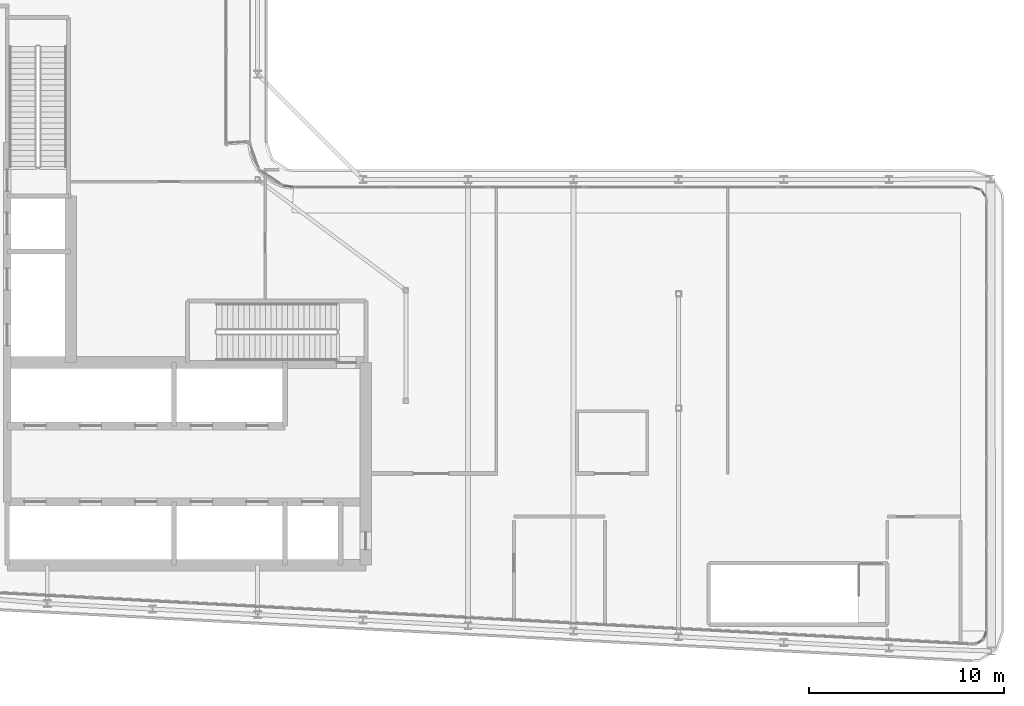
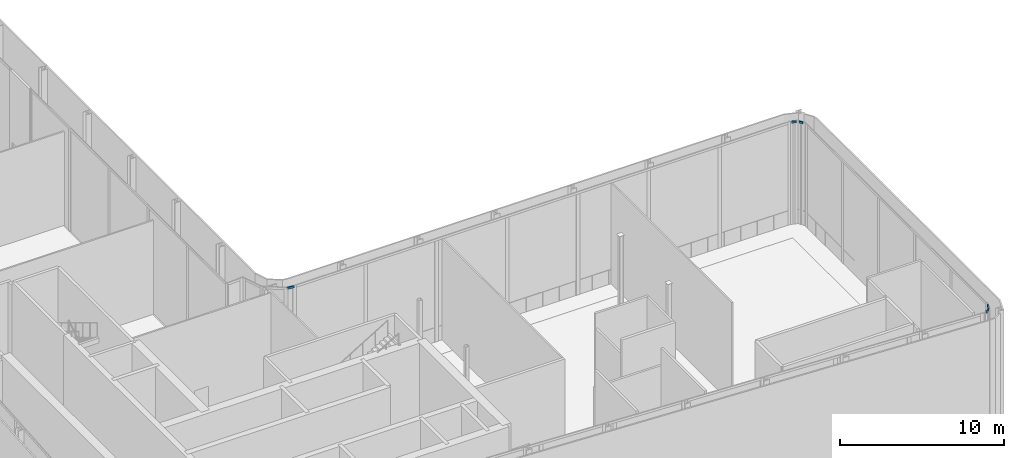
# One storey, part 13 of 27: 5 members, 5 elements without a shape of their own.
"""IFC4 building model written with IfcOpenShell, lengths in metres."""

from ifc_helpers import new_model, si_unit, direction, frame, origin, origin_2d, place, context, subcontext, project, spatial, rectangle, extrude, material, layer, layer_set, material_profile, profile_set, type_object, element, aggregate, save


model = new_model("IFC4")

# Units and contexts
model_context = context("Model", 3, precision=1e-05, world=origin(), true_north=direction((0.0, 1.0)))
body_context = subcontext(model_context, "Body", "Model", "MODEL_VIEW")
ifc_project = project(units=[si_unit("LENGTHUNIT", "METRE"), si_unit("AREAUNIT", "SQUARE_METRE"), si_unit("VOLUMEUNIT", "CUBIC_METRE"), si_unit("PLANEANGLEUNIT", "RADIAN"), si_unit("MASSUNIT", "GRAM", prefix="KILO")], contexts=[model_context])

# Site, building, storey
site_placement = place(None, origin())
site = spatial("IfcSite", under=ifc_project, at=site_placement, CompositionType="ELEMENT")
building_placement = place(site_placement, origin())
building = spatial("IfcBuilding", under=site, at=building_placement, Name="Kheshtan School and Residences Tower", CompositionType="ELEMENT")
storey_placement = place(building_placement, frame((0.0, 0.0, 266.89990234375)))
storey = spatial("IfcBuildingStorey", under=building, at=storey_placement, Name="L63", CompositionType="ELEMENT", Elevation=266.89990234375)

# Curtain wall, member
ifc_material_1 = material(Name="Clear low-e glass in thermally broken aluminium frame", Category="aluminium")
ifc_layer = layer(ifc_material_1, 0.25)
ifc_layer_set = layer_set([ifc_layer], Name="Curtain wall CW-K")
curtain_wall_type = type_object("IfcCurtainWallType", Name="Curtain wall CW-K", PredefinedType="NOTDEFINED", material=ifc_layer_set)
curtain_wall_1_placement = place(storey_placement, origin())
curtain_wall_1 = element("IfcCurtainWall", 1, at=curtain_wall_1_placement, inside=storey, type_object=curtain_wall_type, Name="Curtain wall CWK1a", PredefinedType="NOTDEFINED")
ifc_material_2 = material(Name="Thermally broken aluminium, dark bronze anodised", Category="aluminium")
ifc_material_profile = material_profile(ifc_material_2, rectangle(XDim=0.06005859375, YDim=0.159912109375, at=origin_2d()), Name="CW-K transom 60x160")
ifc_profile_set = profile_set([ifc_material_profile], Name="Thermally broken aluminium, dark bronze anodised")
member_type = type_object("IfcMemberType", Name="CW-K transom 60x160", PredefinedType="USERDEFINED", material=ifc_profile_set)
member_1_placement = place(storey_placement, frame((84.357666015625, 45.177001953125, 7.570068359375), z_axis=(0.95258765561, -0.304264290347, 0.0), x_axis=(0.304264290347, 0.95258765561, 0.0)))
member_1 = element("IfcMember", 2, at=member_1_placement, type_object=member_type, Name="CWK1a transom 1", ObjectType="TRANSOM", PredefinedType="USERDEFINED", context=body_context, shape_type="SweptSolid", body=[
    extrude(rectangle(XDim=0.06005859375, YDim=0.159912109375, at=origin_2d()), origin(), (0.0, 0.0, 1.0), 0.29443359375),
])
aggregate(curtain_wall_1, [member_1])

curtain_wall_2_placement = place(storey_placement, origin())
curtain_wall_2 = element("IfcCurtainWall", 3, at=curtain_wall_2_placement, inside=storey, type_object=curtain_wall_type, Name="Curtain wall CWK2a", PredefinedType="NOTDEFINED")
member_2_placement = place(storey_placement, frame((84.781494140625, 44.979736328125, 7.570068359375), z_axis=(0.554913962671, -0.831907743703, 0.0), x_axis=(0.831907743703, 0.554913962671, 0.0)))
member_2 = element("IfcMember", 4, at=member_2_placement, type_object=member_type, Name="CWK2a transom 1", ObjectType="TRANSOM", PredefinedType="USERDEFINED", context=body_context, shape_type="SweptSolid", body=[
    extrude(rectangle(XDim=0.06005859375, YDim=0.159912109375, at=origin_2d()), origin(), (0.0, 0.0, 1.0), 0.263427734375),
])
aggregate(curtain_wall_2, [member_2])

curtain_wall_3_placement = place(storey_placement, origin())
curtain_wall_3 = element("IfcCurtainWall", 5, at=curtain_wall_3_placement, inside=storey, type_object=curtain_wall_type, Name="Curtain wall CWK4a", PredefinedType="NOTDEFINED")
member_3_placement = place(storey_placement, frame((84.976318359375, 22.376708984375, 7.570068359375), z_axis=(-0.312399890477, -0.949950687368, 0.0), x_axis=(0.949950687368, -0.312399890477, 0.0)))
member_3 = element("IfcMember", 6, at=member_3_placement, type_object=member_type, Name="CWK4a transom 1", ObjectType="TRANSOM", PredefinedType="USERDEFINED", context=body_context, shape_type="SweptSolid", body=[
    extrude(rectangle(XDim=0.06005859375, YDim=0.159912109375, at=origin_2d()), origin(), (0.0, 0.0, 1.0), 0.306396484375),
])
aggregate(curtain_wall_3, [member_3])

curtain_wall_4_placement = place(storey_placement, origin())
curtain_wall_4 = element("IfcCurtainWall", 7, at=curtain_wall_4_placement, inside=storey, type_object=curtain_wall_type, Name="Curtain wall CWK5", PredefinedType="NOTDEFINED")
member_4_placement = place(storey_placement, frame((84.76904296875, 21.943359375, 7.570068359375), z_axis=(-0.848986366709, -0.528414751064, 0.0), x_axis=(0.528414751064, -0.848986366709, 0.0)))
member_4 = element("IfcMember", 8, at=member_4_placement, type_object=member_type, Name="CWK5 transom 1", ObjectType="TRANSOM", PredefinedType="USERDEFINED", context=body_context, shape_type="SweptSolid", body=[
    extrude(rectangle(XDim=0.06005859375, YDim=0.159912109375, at=origin_2d()), origin(), (0.0, 0.0, 1.0), 0.277099609375),
])
aggregate(curtain_wall_4, [member_4])

curtain_wall_5_placement = place(storey_placement, origin())
curtain_wall_5 = element("IfcCurtainWall", 9, at=curtain_wall_5_placement, inside=storey, type_object=curtain_wall_type, Name="Curtain wall CWK23a", PredefinedType="NOTDEFINED")
member_5_placement = place(storey_placement, frame((48.93896484375, 45.272705078125, 7.570068359375), z_axis=(0.990990637843, -0.133931160334, 0.0), x_axis=(0.133931160334, 0.990990637843, 0.0)))
member_5 = element("IfcMember", 10, at=member_5_placement, type_object=member_type, Name="CWK23a transom 1", ObjectType="TRANSOM", PredefinedType="USERDEFINED", context=body_context, shape_type="SweptSolid", body=[
    extrude(rectangle(XDim=0.06005859375, YDim=0.159912109375, at=origin_2d()), origin(), (0.0, 0.0, 1.0), 0.488525390625),
])
aggregate(curtain_wall_5, [member_5])

save(model, "model.ifc")
